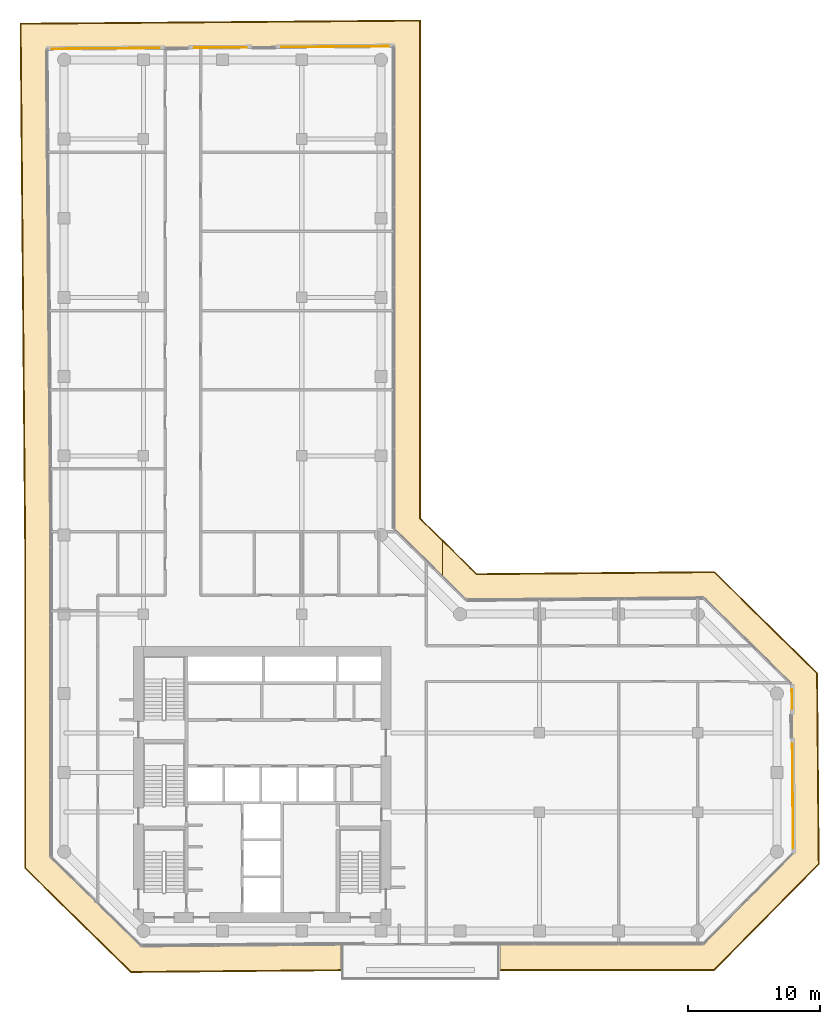
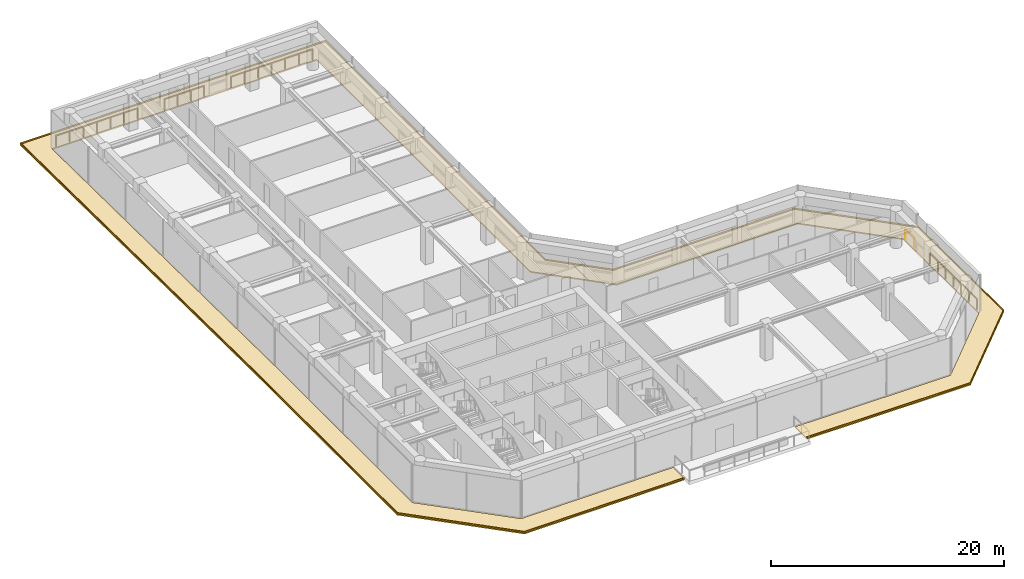
# One storey, part 21 of 21: 5 railings, 4 coverings.
"""IFC4 building model written with IfcOpenShell, lengths in metres."""

from ifc_helpers import new_model, si_unit, direction, frame, origin, origin_2d, place, context, subcontext, project, spatial, polyline, circle, outline, extrude, material, layer, layer_set, type_object, element, save


model = new_model("IFC4")

# Units and contexts
model_context = context("Model", 3, precision=1e-05, world=origin(), true_north=direction((0.0, 1.0)))
body_context = subcontext(model_context, "Body", "Model", "MODEL_VIEW")
ifc_project = project(units=[si_unit("LENGTHUNIT", "METRE"), si_unit("AREAUNIT", "SQUARE_METRE"), si_unit("VOLUMEUNIT", "CUBIC_METRE"), si_unit("PLANEANGLEUNIT", "RADIAN"), si_unit("MASSUNIT", "GRAM", prefix="KILO")], contexts=[model_context])

# Site, building, storey
site_placement = place(None, origin())
site = spatial("IfcSite", under=ifc_project, at=site_placement, CompositionType="ELEMENT")
building_placement = place(site_placement, origin())
building = spatial("IfcBuilding", under=site, at=building_placement, Name="Welwitschia Terrace Campus", CompositionType="ELEMENT")
storey_placement = place(building_placement, frame((0.0, 0.0, 108.800048828125)))
storey = spatial("IfcBuildingStorey", under=building, at=storey_placement, Name="L24", CompositionType="ELEMENT", Elevation=108.800048828125)

# Railings
ifc_material_1 = material(Name="Stainless steel grade 316", Category="steel")
railing_type = type_object("IfcRailingType", Name="Guard 1100", PredefinedType="GUARDRAIL", material=ifc_material_1)
railing_1_placement = place(storey_placement, frame((-0.9091796875, 70.8251953125, 0.0)))
element("IfcRailing", 1, at=railing_1_placement, inside=storey, type_object=railing_type, Name="Guard floor edge L24.0", PredefinedType="GUARDRAIL", context=body_context, shape_type="SweptSolid", body=[
    extrude(circle(Radius=0.02392578125, at=origin_2d()), frame((0.0, 0.0, 1.076171875), z_axis=(0.999968753041, 0.007905247747, 0.0), x_axis=(-0.007905247747, 0.999968753041, 0.0)), (0.0, 0.0, 1.0), 8.122314453125),
    extrude(circle(Radius=0.02099609375, at=origin_2d()), origin(), (0.0, 0.0, 1.0), 1.052001953125),
    extrude(circle(Radius=0.02099609375, at=origin_2d()), frame((1.353759765625, 0.0107421875, 0.0)), (0.0, 0.0, 1.0), 1.052001953125),
    extrude(circle(Radius=0.02099609375, at=origin_2d()), frame((2.707275390625, 0.021484375, 0.0)), (0.0, 0.0, 1.0), 1.052001953125),
    extrude(circle(Radius=0.02099609375, at=origin_2d()), frame((4.06103515625, 0.0322265625, 0.0)), (0.0, 0.0, 1.0), 1.052001953125),
    extrude(circle(Radius=0.02099609375, at=origin_2d()), frame((5.414794921875, 0.042724609375, 0.0)), (0.0, 0.0, 1.0), 1.052001953125),
    extrude(circle(Radius=0.02099609375, at=origin_2d()), frame((6.768310546875, 0.053466796875, 0.0)), (0.0, 0.0, 1.0), 1.052001953125),
    extrude(circle(Radius=0.02099609375, at=origin_2d()), frame((8.1220703125, 0.064208984375, 0.0)), (0.0, 0.0, 1.0), 1.052001953125),
])
railing_2_placement = place(storey_placement, frame((9.8603515625, 70.910400390625, 0.0)))
element("IfcRailing", 2, at=railing_2_placement, inside=storey, type_object=railing_type, Name="Guard floor edge L24.1", PredefinedType="GUARDRAIL", context=body_context, shape_type="SweptSolid", body=[
    extrude(circle(Radius=0.02392578125, at=origin_2d()), frame((0.0, 0.0, 1.076171875), z_axis=(0.99996870563, 0.007911242618, 0.0), x_axis=(-0.007911242618, 0.99996870563, 0.0)), (0.0, 0.0, 1.0), 3.9501953125),
    extrude(circle(Radius=0.02099609375, at=origin_2d()), origin(), (0.0, 0.0, 1.0), 1.052001953125),
    extrude(circle(Radius=0.02099609375, at=origin_2d()), frame((1.316650390625, 0.010498046875, 0.0)), (0.0, 0.0, 1.0), 1.052001953125),
    extrude(circle(Radius=0.02099609375, at=origin_2d()), frame((2.63330078125, 0.020751953125, 0.0)), (0.0, 0.0, 1.0), 1.052001953125),
    extrude(circle(Radius=0.02099609375, at=origin_2d()), frame((3.949951171875, 0.03125, 0.0)), (0.0, 0.0, 1.0), 1.052001953125),
])
railing_3_placement = place(storey_placement, frame((16.45751953125, 70.96240234375, 0.0)))
element("IfcRailing", 3, at=railing_3_placement, inside=storey, type_object=railing_type, Name="Guard floor edge L24.2", PredefinedType="GUARDRAIL", context=body_context, shape_type="SweptSolid", body=[
    extrude(circle(Radius=0.02392578125, at=origin_2d()), frame((0.0, 0.0, 1.076171875), z_axis=(0.999968747405, 0.007905960636, 0.0), x_axis=(-0.007905960636, 0.999968747405, 0.0)), (0.0, 0.0, 1.0), 8.12158203125),
    extrude(circle(Radius=0.02099609375, at=origin_2d()), origin(), (0.0, 0.0, 1.0), 1.052001953125),
    extrude(circle(Radius=0.02099609375, at=origin_2d()), frame((1.353515625, 0.0107421875, 0.0)), (0.0, 0.0, 1.0), 1.052001953125),
    extrude(circle(Radius=0.02099609375, at=origin_2d()), frame((2.70703125, 0.021484375, 0.0)), (0.0, 0.0, 1.0), 1.052001953125),
    extrude(circle(Radius=0.02099609375, at=origin_2d()), frame((4.060546875, 0.0322265625, 0.0)), (0.0, 0.0, 1.0), 1.052001953125),
    extrude(circle(Radius=0.02099609375, at=origin_2d()), frame((5.414306640625, 0.042724609375, 0.0)), (0.0, 0.0, 1.0), 1.052001953125),
    extrude(circle(Radius=0.02099609375, at=origin_2d()), frame((6.767822265625, 0.053466796875, 0.0)), (0.0, 0.0, 1.0), 1.052001953125),
    extrude(circle(Radius=0.02099609375, at=origin_2d()), frame((8.121337890625, 0.064208984375, 0.0)), (0.0, 0.0, 1.0), 1.052001953125),
])
railing_4_placement = place(storey_placement, frame((55.126220703125, 22.28564453125, 0.0)))
element("IfcRailing", 4, at=railing_4_placement, inside=storey, type_object=railing_type, Name="Guard floor edge L24.3", PredefinedType="GUARDRAIL", context=body_context, shape_type="SweptSolid", body=[
    extrude(circle(Radius=0.02392578125, at=origin_2d()), frame((0.0, 0.0, 1.076171875), z_axis=(0.008827104453, -0.999961040355, 0.0), x_axis=(0.999961040355, 0.008827104453, 0.0)), (0.0, 0.0, 1.0), 1.4658203125),
    extrude(circle(Radius=0.02099609375, at=origin_2d()), origin(), (0.0, 0.0, 1.0), 1.052001953125),
    extrude(circle(Radius=0.02099609375, at=origin_2d()), frame((0.012939453125, -1.4658203125, 0.0)), (0.0, 0.0, 1.0), 1.052001953125),
])
railing_5_placement = place(storey_placement, frame((55.162109375, 18.172607421875, 0.0)))
element("IfcRailing", 5, at=railing_5_placement, inside=storey, type_object=railing_type, Name="Guard floor edge L24.4", PredefinedType="GUARDRAIL", context=body_context, shape_type="SweptSolid", body=[
    extrude(circle(Radius=0.02392578125, at=origin_2d()), frame((0.0, 0.0, 1.076171875), z_axis=(0.008753956643, -0.999961683387, 0.0), x_axis=(0.999961683387, 0.008753956643, 0.0)), (0.0, 0.0, 1.0), 7.892578125),
    extrude(circle(Radius=0.02099609375, at=origin_2d()), origin(), (0.0, 0.0, 1.0), 1.052001953125),
    extrude(circle(Radius=0.02099609375, at=origin_2d()), frame((0.011474609375, -1.3154296875, 0.0)), (0.0, 0.0, 1.0), 1.052001953125),
    extrude(circle(Radius=0.02099609375, at=origin_2d()), frame((0.02294921875, -2.630859375, 0.0)), (0.0, 0.0, 1.0), 1.052001953125),
    extrude(circle(Radius=0.02099609375, at=origin_2d()), frame((0.03466796875, -3.9462890625, 0.0)), (0.0, 0.0, 1.0), 1.052001953125),
    extrude(circle(Radius=0.02099609375, at=origin_2d()), frame((0.046142578125, -5.261474609375, 0.0)), (0.0, 0.0, 1.0), 1.052001953125),
    extrude(circle(Radius=0.02099609375, at=origin_2d()), frame((0.0576171875, -6.576904296875, 0.0)), (0.0, 0.0, 1.0), 1.052001953125),
    extrude(circle(Radius=0.02099609375, at=origin_2d()), frame((0.069091796875, -7.892333984375, 0.0)), (0.0, 0.0, 1.0), 1.052001953125),
])

# Coverings
ifc_material_2 = material(Name="Bronze anodised aluminium", Category="aluminium")
ifc_layer_1 = layer(ifc_material_2, 0.1201171875)
ifc_layer_set_1 = layer_set([ifc_layer_1], Name="Bronze anodised aluminium")
covering_type_1 = type_object("IfcCoveringType", Name="Sunshade band 2000", PredefinedType="USERDEFINED", material=ifc_layer_set_1)
covering_1_placement = place(storey_placement, frame((0.0, 0.0, -0.25)))
element("IfcCovering", 6, at=covering_1_placement, inside=storey, type_object=covering_type_1, Name="SUNSHADE L24.SW0", ObjectType="SUNSHADE", PredefinedType="USERDEFINED", context=body_context, shape_type="SweptSolid", body=[
    extrude(outline(polyline([(28.6708984375, 33.62060546875), (28.6708984375, 30.81640625), (25.0, 34.423828125), (25.0, 71.0), (-1.3291015625, 70.7919921875), (-1.0, 33.076904296875), (-1.0, 9.585693359375), (5.849853515625, 2.85205078125), (20.949951171875, 2.98388671875), (20.949951171875, 0.983642578125), (5.03857421875, 0.8447265625), (-3.0, 8.747314453125), (-3.0, 33.068115234375), (-3.346435546875, 72.77587890625), (27.0, 73.015869140625), (27.0, 35.262451171875), (28.6708984375, 33.62060546875)])), origin(), (0.0, 0.0, 1.0), 0.119873046875),
])
covering_2_placement = place(storey_placement, frame((0.0, 0.0, -0.25)))
element("IfcCovering", 7, at=covering_2_placement, inside=storey, type_object=covering_type_1, Name="SUNSHADE L24.SE0", ObjectType="SUNSHADE", PredefinedType="USERDEFINED", context=body_context, shape_type="SweptSolid", body=[
    extrude(outline(polyline([(31.26123046875, 31.07470703125), (49.2607421875, 31.23193359375), (57.08544921875, 23.54248046875), (57.2119140625, 9.05419921875), (49.24951171875, 1.0), (33.050048828125, 1.0), (33.050048828125, 3.0), (48.414306640625, 3.0), (55.20458984375, 9.86865234375), (55.0927734375, 22.69677734375), (48.44970703125, 29.224609375), (30.450439453125, 29.067626953125), (28.6708984375, 30.81640625), (28.6708984375, 33.62060546875), (31.26123046875, 31.07470703125)])), origin(), (0.0, 0.0, 1.0), 0.119873046875),
])
ifc_material_3 = material(Name="Bronze anodised aluminium", Category="aluminium")
ifc_layer_2 = layer(ifc_material_3, 0.06005859375)
ifc_layer_set_2 = layer_set([ifc_layer_2], Name="Bronze anodised aluminium")
covering_type_2 = type_object("IfcCoveringType", Name="Sunshade lip 60", PredefinedType="USERDEFINED", material=ifc_layer_set_2)
covering_3_placement = place(storey_placement, frame((0.0, 0.0, -0.130126953125)))
element("IfcCovering", 8, at=covering_3_placement, inside=storey, type_object=covering_type_2, Name="SUNSHADE LIP L24.SW0.0", ObjectType="SUNSHADE", PredefinedType="USERDEFINED", context=body_context, shape_type="SweptSolid", body=[
    extrude(outline(polyline([(28.6708984375, 33.536376953125), (26.93994140625, 35.2373046875), (26.93994140625, 72.955322265625), (-3.285888671875, 72.716552734375), (-2.93994140625, 33.068359375), (-2.93994140625, 8.7724609375), (5.06298828125, 0.905029296875), (20.949951171875, 1.043701171875), (20.949951171875, 0.983642578125), (5.03857421875, 0.8447265625), (-3.0, 8.747314453125), (-3.0, 33.068115234375), (-3.346435546875, 72.77587890625), (27.0, 73.015869140625), (27.0, 35.262451171875), (28.6708984375, 33.62060546875), (28.6708984375, 33.536376953125)])), origin(), (0.0, 0.0, 1.0), 0.130126953125),
])
covering_4_placement = place(storey_placement, frame((0.0, 0.0, -0.130126953125)))
element("IfcCovering", 9, at=covering_4_placement, inside=storey, type_object=covering_type_2, Name="SUNSHADE LIP L24.SE0.0", ObjectType="SUNSHADE", PredefinedType="USERDEFINED", context=body_context, shape_type="SweptSolid", body=[
    extrude(outline(polyline([(49.2607421875, 31.23193359375), (57.08544921875, 23.54248046875), (57.2119140625, 9.05419921875), (49.24951171875, 1.0), (33.050048828125, 1.0), (33.050048828125, 1.06005859375), (49.224365234375, 1.06005859375), (57.151611328125, 9.07861328125), (57.025634765625, 23.51708984375), (49.236328125, 31.171630859375), (31.237060546875, 31.0146484375), (28.6708984375, 33.536376953125), (28.6708984375, 33.62060546875), (31.26123046875, 31.07470703125), (49.2607421875, 31.23193359375)])), origin(), (0.0, 0.0, 1.0), 0.130126953125),
])

save(model, "model.ifc")
